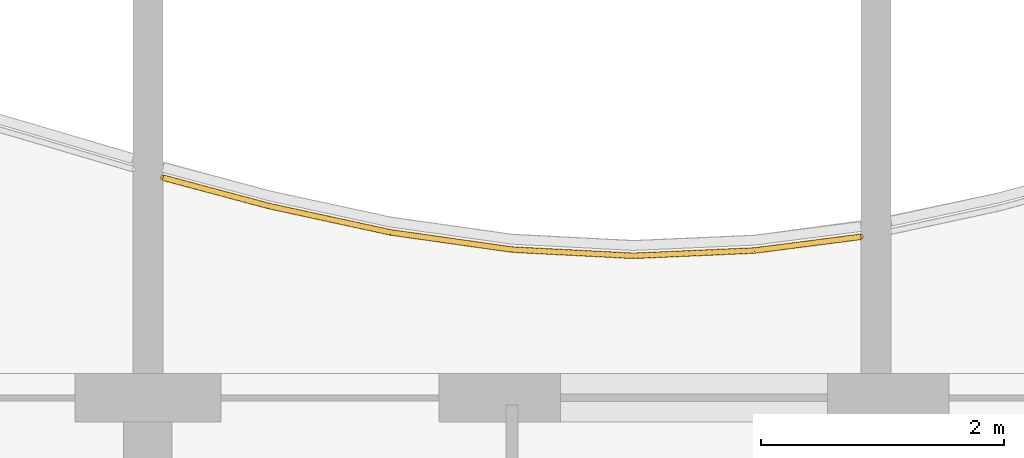
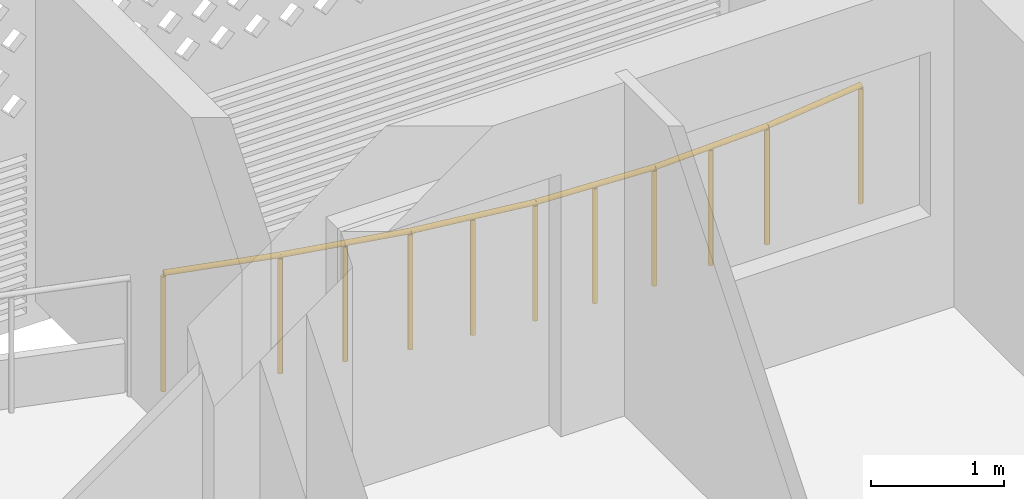
# One storey, part 30 of 44: 1 railing.
"""IFC4 building model written with IfcOpenShell, lengths in metres."""

from ifc_helpers import new_model, si_unit, direction, frame, origin, origin_2d, place, context, subcontext, project, spatial, circle, extrude, material, type_object, element, save


model = new_model("IFC4")

# Units and contexts
model_context = context("Model", 3, precision=1e-05, world=origin(), true_north=direction((0.0, 1.0)))
body_context = subcontext(model_context, "Body", "Model", "MODEL_VIEW")
ifc_project = project(units=[si_unit("LENGTHUNIT", "METRE"), si_unit("AREAUNIT", "SQUARE_METRE"), si_unit("VOLUMEUNIT", "CUBIC_METRE"), si_unit("PLANEANGLEUNIT", "RADIAN"), si_unit("MASSUNIT", "GRAM", prefix="KILO")], contexts=[model_context])

# Site, building, storey
site_placement = place(None, origin())
site = spatial("IfcSite", under=ifc_project, at=site_placement, CompositionType="ELEMENT")
building_placement = place(site_placement, origin())
building = spatial("IfcBuilding", under=site, at=building_placement, Name="Poui Terraces", CompositionType="ELEMENT")
storey_placement = place(building_placement, frame((0.0, 0.0, 30.0)))
storey = spatial("IfcBuildingStorey", under=building, at=storey_placement, Name="L07", CompositionType="ELEMENT", Elevation=30.0)

# Railing
ifc_material = material(Name="Painted steel fretwork", Category="steel")
railing_type = type_object("IfcRailingType", Name="BALCONY GUARD 1100", PredefinedType="GUARDRAIL", material=ifc_material)
railing_placement = place(storey_placement, frame((42.125, 46.614013671875, 0.0)))
element("IfcRailing", 1, at=railing_placement, inside=storey, type_object=railing_type, Name="BALCONY GUARD", PredefinedType="GUARDRAIL", context=body_context, shape_type="SweptSolid", body=[
    extrude(circle(Radius=0.02392578125, at=origin_2d()), frame((0.0, 0.0, 1.076171875), z_axis=(0.966015382601, -0.258484584798, 0.0), x_axis=(0.258484584798, 0.966015382601, 0.0)), (0.0, 0.0, 1.0), 0.90576171875),
    extrude(circle(Radius=0.02392578125, at=origin_2d()), frame((0.875, -0.234130859375, 1.076171875), z_axis=(0.977296797445, -0.211874891633, 0.0), x_axis=(0.211874891633, 0.977296797445, 0.0)), (0.0, 0.0, 1.0), 1.023193359375),
    extrude(circle(Radius=0.02392578125, at=origin_2d()), frame((1.875, -0.450927734375, 1.076171875), z_axis=(0.990122789002, -0.14020293399, 0.0), x_axis=(0.14020293399, 0.990122789002, 0.0)), (0.0, 0.0, 1.0), 1.010009765625),
    extrude(circle(Radius=0.02392578125, at=origin_2d()), frame((2.875, -0.592529296875, 1.076171875), z_axis=(0.998688302928, -0.051202281156, 0.0), x_axis=(0.051202281156, 0.998688302928, 0.0)), (0.0, 0.0, 1.0), 1.001220703125),
    extrude(circle(Radius=0.02392578125, at=origin_2d()), frame((3.875, -0.643798828125, 1.076171875), z_axis=(0.999046469355, 0.043659501468, 0.0), x_axis=(-0.043659501468, 0.999046469355, 0.0)), (0.0, 0.0, 1.0), 1.0009765625),
    extrude(circle(Radius=0.02392578125, at=origin_2d()), frame((4.875, -0.60009765625, 1.076171875), z_axis=(0.991793720609, 0.127848409297, 0.0), x_axis=(-0.127848409297, 0.991793720609, 0.0)), (0.0, 0.0, 1.0), 0.88232421875),
    extrude(circle(Radius=0.02099609375, at=origin_2d()), origin(), (0.0, 0.0, 1.0), 1.052001953125),
    extrude(circle(Radius=0.02099609375, at=origin_2d()), frame((0.875, -0.234130859375, 0.0)), (0.0, 0.0, 1.0), 1.052001953125),
    extrude(circle(Radius=0.02099609375, at=origin_2d()), frame((1.375, -0.342529296875, 0.0)), (0.0, 0.0, 1.0), 1.052001953125),
    extrude(circle(Radius=0.02099609375, at=origin_2d()), frame((1.875, -0.450927734375, 0.0)), (0.0, 0.0, 1.0), 1.052001953125),
    extrude(circle(Radius=0.02099609375, at=origin_2d()), frame((2.375, -0.521728515625, 0.0)), (0.0, 0.0, 1.0), 1.052001953125),
    extrude(circle(Radius=0.02099609375, at=origin_2d()), frame((2.875, -0.592529296875, 0.0)), (0.0, 0.0, 1.0), 1.052001953125),
    extrude(circle(Radius=0.02099609375, at=origin_2d()), frame((3.375, -0.6181640625, 0.0)), (0.0, 0.0, 1.0), 1.052001953125),
    extrude(circle(Radius=0.02099609375, at=origin_2d()), frame((3.875, -0.643798828125, 0.0)), (0.0, 0.0, 1.0), 1.052001953125),
    extrude(circle(Radius=0.02099609375, at=origin_2d()), frame((4.375, -0.6220703125, 0.0)), (0.0, 0.0, 1.0), 1.052001953125),
    extrude(circle(Radius=0.02099609375, at=origin_2d()), frame((4.875, -0.60009765625, 0.0)), (0.0, 0.0, 1.0), 1.052001953125),
    extrude(circle(Radius=0.02099609375, at=origin_2d()), frame((5.75, -0.4873046875, 0.0)), (0.0, 0.0, 1.0), 1.052001953125),
])

save(model, "model.ifc")
